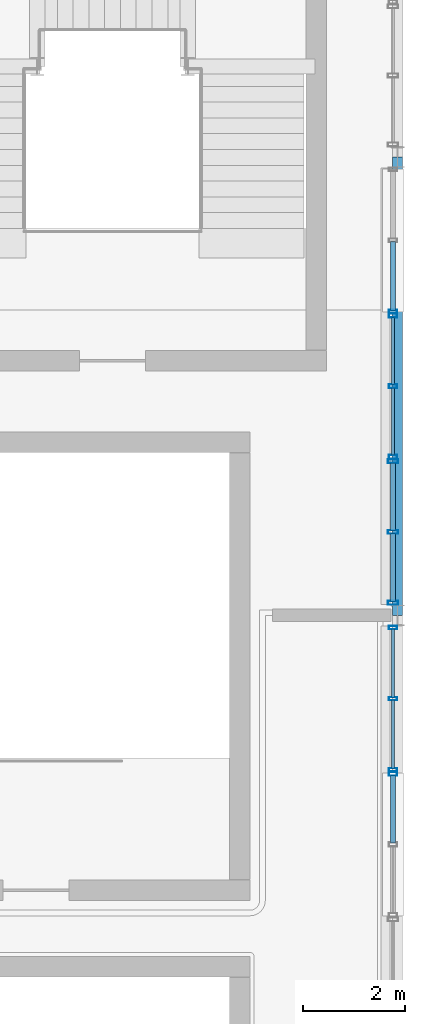
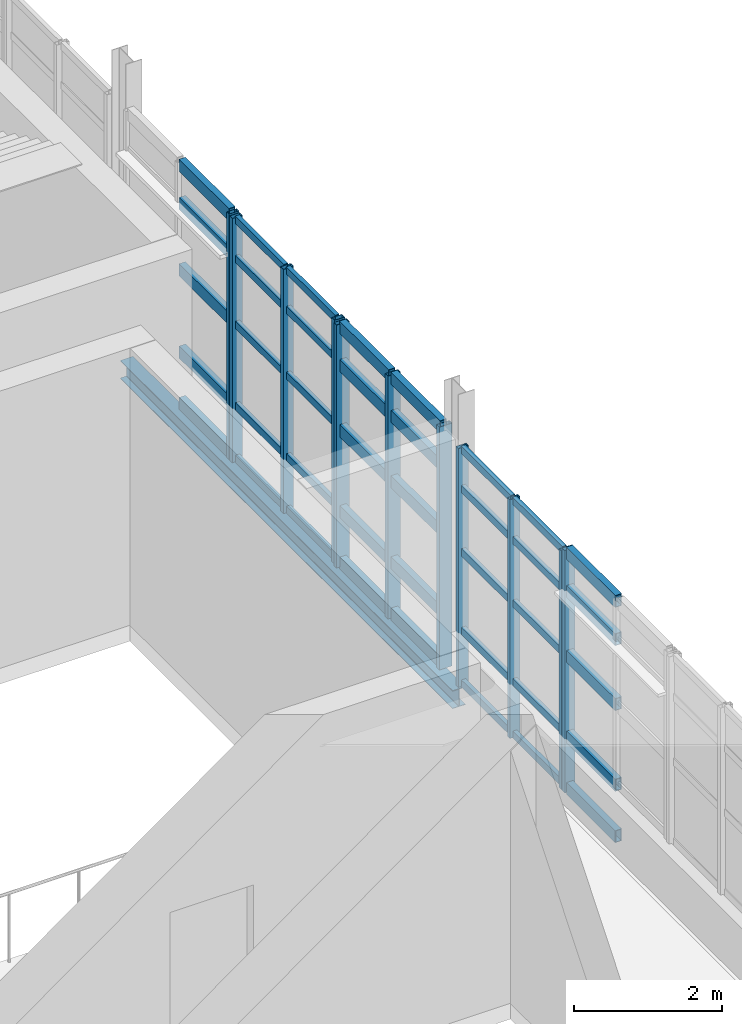
# One storey, part 56 of 102: 51 members, 1 beam, 5 elements without a shape of their own.
"""IFC4 building model written with IfcOpenShell, lengths in metres."""

import ifcopenshell
import ifcopenshell.guid

model = None  # the IFC model being written
_history = None  # IfcOwnerHistory: only IFC2X3 demands one
_inside = {}  # id of a spatial element -> (the spatial element, [elements in it])
_under = {}  # id of a project, library or spatial element -> (it, [spatial elements below it])
_declared = {}  # id of a project -> (the project, [libraries it declares])
_typed = {}  # id of a type object -> (the type object, [elements of that type])
_made_of = {}  # id of a material, layer set ... -> (it, [elements and type objects made of it])


def new_model(schema):
    """Start an empty IFC model of exactly this schema.

    Asked for "IFC4X3", IfcOpenShell would pick the latest addendum, in which some entities
    have other attributes; the version numbers below select the first issue.
    IFC2X3 requires an IfcOwnerHistory on every rooted entity: one is made here for all.
    """
    global model, _history
    if schema == "IFC4X3":
        model = ifcopenshell.file(schema_version=(4, 3, 0, 0))
    else:
        model = ifcopenshell.file(schema=schema)
    _inside.clear()
    _under.clear()
    _declared.clear()
    _typed.clear()
    _made_of.clear()
    _history = None
    if model.schema == "IFC2X3":
        org = make("IfcOrganization", Name="unknown")
        user = make(
            "IfcPersonAndOrganization",
            ThePerson=make("IfcPerson", FamilyName="unknown"),
            TheOrganization=org,
        )
        app = make(
            "IfcApplication",
            ApplicationDeveloper=org,
            Version="unknown",
            ApplicationFullName="unknown",
            ApplicationIdentifier="unknown",
        )
        _history = make(
            "IfcOwnerHistory",
            OwningUser=user,
            OwningApplication=app,
            ChangeAction="ADDED",
            CreationDate=0,
        )
    return model


def make(cls, **values):
    """One entity of the class cls with the attributes given. An attribute that is None is left unset."""
    return model.create_entity(
        cls, **{name: value for name, value in values.items() if value is not None}
    )


def rooted(cls, **values):
    """An entity with a GlobalId (a new one), such as an element, a storey or a relation."""
    return make(cls, GlobalId=ifcopenshell.guid.new(), OwnerHistory=_history, **values)


def si_unit(unit_type, name, prefix=None):
    """IfcSIUnit, for example si_unit("LENGTHUNIT", "METRE", prefix="MILLI")."""
    return make("IfcSIUnit", UnitType=unit_type, Prefix=prefix, Name=name)


def derived_unit(unit_type, elements):
    """IfcDerivedUnit: a product of units, each with its exponent."""
    return make(
        "IfcDerivedUnit",
        Elements=[
            make("IfcDerivedUnitElement", Unit=unit, Exponent=power)
            for unit, power in elements
        ],
        UnitType=unit_type,
    )


def assignment(units):
    """IfcUnitAssignment: the units of a project."""
    return None if units is None else make("IfcUnitAssignment", Units=units)


def point(xyz):
    """IfcCartesianPoint."""
    return None if xyz is None else make("IfcCartesianPoint", Coordinates=xyz)


def direction(xyz):
    """IfcDirection."""
    return None if xyz is None else make("IfcDirection", DirectionRatios=xyz)


def frame(location, z_axis=None, x_axis=None):
    """IfcAxis2Placement3D, a coordinate frame: its origin and axes. An axis left out is left unset."""
    return make(
        "IfcAxis2Placement3D",
        Location=point(location),
        Axis=direction(z_axis),
        RefDirection=direction(x_axis),
    )


def frame_2d(location, x_axis=None):
    """IfcAxis2Placement2D, a coordinate frame in the plane: its origin and x axis."""
    return make(
        "IfcAxis2Placement2D", Location=point(location), RefDirection=direction(x_axis)
    )


def origin():
    """The frame at (0, 0, 0) with its axes left unset."""
    return frame((0.0, 0.0, 0.0))


def origin_2d():
    """The frame at (0, 0) in the plane with its x axis left unset."""
    return frame_2d((0.0, 0.0))


def place(relative_to, where):
    """IfcLocalPlacement: puts the frame where relative to a parent placement (None: the world)."""
    return make(
        "IfcLocalPlacement", PlacementRelTo=relative_to, RelativePlacement=where
    )


def context(
    kind, dimensions, precision=None, world=None, true_north=None, identifier=None
):
    """IfcGeometricRepresentationContext, for example the 3D "Model" context."""
    return make(
        "IfcGeometricRepresentationContext",
        ContextIdentifier=identifier,
        ContextType=kind,
        CoordinateSpaceDimension=dimensions,
        Precision=precision,
        WorldCoordinateSystem=world,
        TrueNorth=true_north,
    )


def subcontext(parent, identifier, kind, view, scale=None):
    """IfcGeometricRepresentationSubContext, for example "Body" below "Model"."""
    return make(
        "IfcGeometricRepresentationSubContext",
        ContextIdentifier=identifier,
        ContextType=kind,
        ParentContext=parent,
        TargetScale=scale,
        TargetView=view,
    )


def project(units=None, contexts=None):
    """IfcProject with its units and contexts."""
    return rooted(
        "IfcProject",
        Name="project",
        RepresentationContexts=contexts,
        UnitsInContext=assignment(units),
    )


def spatial(cls, under=None, at=None, **own):
    """A site, building, storey or space (cls), placed at a placement, below another one or the project."""
    s = rooted(cls, ObjectPlacement=at, **own)
    if under is not None:
        _under.setdefault(under.id(), (under, []))[1].append(s)
    return s


def profile(cls, at=None, kind="AREA", **sizes):
    """A parametric profile (cls). Its sizes go by their IFC names, for example OverallWidth=200.0."""
    return make(cls, ProfileType=kind, Position=at, **sizes)


def hollow_rectangle(**sizes):
    """IfcRectangleHollowProfileDef."""
    return profile("IfcRectangleHollowProfileDef", **sizes)


def i_section(**sizes):
    """IfcIShapeProfileDef."""
    return profile("IfcIShapeProfileDef", **sizes)


def extrude(swept, where, along, depth):
    """IfcExtrudedAreaSolid: the profile swept, set in the frame where, extruded along a direction by depth."""
    return make(
        "IfcExtrudedAreaSolid",
        SweptArea=swept,
        Position=where,
        ExtrudedDirection=direction(along),
        Depth=depth,
    )


def shape(context_of_items, identifier, shape_type, items):
    """IfcShapeRepresentation: the items that make up one representation, for example the "Body"."""
    return make(
        "IfcShapeRepresentation",
        ContextOfItems=context_of_items,
        RepresentationIdentifier=identifier,
        RepresentationType=shape_type,
        Items=items,
    )


def material(Name=None, Category=None):
    """IfcMaterial."""
    return make("IfcMaterial", Name=Name, Category=Category)


def layer(
    of_material, thickness, ventilated=None, Name=None, Category=None, Priority=None
):
    """IfcMaterialLayer: one layer of a wall or slab, of a material (None: an air gap)."""
    return make(
        "IfcMaterialLayer",
        Material=of_material,
        LayerThickness=thickness,
        IsVentilated=ventilated,
        Name=Name,
        Category=Category,
        Priority=Priority,
    )


def layer_set(layers, Name=None):
    """IfcMaterialLayerSet."""
    return make("IfcMaterialLayerSet", MaterialLayers=layers, LayerSetName=Name)


def material_profile(
    of_material, cross_section, Name=None, Category=None, Priority=None
):
    """IfcMaterialProfile: a cross section and its material."""
    return make(
        "IfcMaterialProfile",
        Name=Name,
        Material=of_material,
        Profile=cross_section,
        Priority=Priority,
        Category=Category,
    )


def profile_set(profiles, Name=None, composite=None):
    """IfcMaterialProfileSet."""
    return make(
        "IfcMaterialProfileSet",
        Name=Name,
        MaterialProfiles=profiles,
        CompositeProfile=composite,
    )


def made_of(thing, what):
    """Note that an element or type object is made of a material, layer set ...; save() writes the relation."""
    if what is not None:
        _made_of.setdefault(what.id(), (what, []))[1].append(thing)
    return thing


def type_object(cls, material=None, **own):
    """A type object (cls), such as IfcWallType, which elements share."""
    return made_of(rooted(cls, **own), material)


def element(
    cls,
    number,
    at=None,
    inside=None,
    cuts=None,
    type_object=None,
    material=None,
    context=None,
    identifier="Body",
    shape_type=None,
    held_by="IfcProductDefinitionShape",
    body=None,
    shapes=None,
    **own,
):
    """One element of the class cls, such as IfcWall. Its Tag is "e" and its number.

    at: its placement. inside: the storey or other place that contains it. cuts: it is an
    opening in that element (IfcRelVoidsElement). A single representation is given by context,
    identifier, shape_type and body (its items); several are given by shapes. held_by: the class
    of the entity that holds the representations. save() writes the other relations.
    """
    e = rooted(cls, Tag="e%d" % number, ObjectPlacement=at, **own)
    if body is not None:
        shapes = [shape(context, identifier, shape_type, body)]
    if shapes is not None:
        e.Representation = make(held_by, Representations=shapes)
    if inside is not None:
        _inside.setdefault(inside.id(), (inside, []))[1].append(e)
    if cuts is not None:
        rooted(
            "IfcRelVoidsElement", RelatingBuildingElement=cuts, RelatedOpeningElement=e
        )
    if type_object is not None:
        _typed.setdefault(type_object.id(), (type_object, []))[1].append(e)
    return made_of(e, material)


def aggregate(whole, parts):
    """IfcRelAggregates: a whole, such as a stair, and the parts it consists of."""
    return rooted("IfcRelAggregates", RelatingObject=whole, RelatedObjects=parts)


def save(model, path):
    """Write the relations noted so far, then the file.

    IfcRelAggregates (storeys below a building ...), IfcRelContainedInSpatialStructure (elements
    in a storey), IfcRelDefinesByType, IfcRelAssociatesMaterial and IfcRelDeclares: one each for
    every whole, place, type object, material and project.
    """
    for whole, parts in _under.values():
        aggregate(whole, parts)
    for where, things in _inside.values():
        rooted(
            "IfcRelContainedInSpatialStructure",
            RelatedElements=things,
            RelatingStructure=where,
        )
    for kind, things in _typed.values():
        rooted("IfcRelDefinesByType", RelatedObjects=things, RelatingType=kind)
    for what, things in _made_of.values():
        rooted("IfcRelAssociatesMaterial", RelatedObjects=things, RelatingMaterial=what)
    for by, libraries in _declared.values():
        rooted("IfcRelDeclares", RelatingContext=by, RelatedDefinitions=libraries)
    model.write(path)


model = new_model("IFC4")

# Units and contexts
model_context = context("Model", 3, precision=1e-05, world=origin(), true_north=direction((0.0, 1.0)))
body_context = subcontext(model_context, "Body", "Model", "MODEL_VIEW")
ifc_project = project(units=[si_unit("LENGTHUNIT", "METRE"), si_unit("AREAUNIT", "SQUARE_METRE"), si_unit("VOLUMEUNIT", "CUBIC_METRE"), si_unit("PLANEANGLEUNIT", "RADIAN"), si_unit("MASSUNIT", "GRAM", prefix="KILO"), derived_unit("THERMALTRANSMITTANCEUNIT", [(si_unit("POWERUNIT", "WATT"), 1), (si_unit("LENGTHUNIT", "METRE"), -2), (si_unit("THERMODYNAMICTEMPERATUREUNIT", "KELVIN"), -1)])], contexts=[model_context])

# Site, building, storey
site_placement = place(None, origin())
site = spatial("IfcSite", under=ifc_project, at=site_placement, CompositionType="ELEMENT")
building_placement = place(site_placement, origin())
building = spatial("IfcBuilding", under=site, at=building_placement, Name="Nallur Shell Playhouse", CompositionType="ELEMENT")
storey_placement = place(building_placement, frame((0.0, 0.0, 15.0)))
storey = spatial("IfcBuildingStorey", under=building, at=storey_placement, Name="L04", CompositionType="ELEMENT", Elevation=15.0)

# Beam
ifc_material_1 = material(Name="Steel E250", Category="steel")
ifc_material_profile_1 = material_profile(ifc_material_1, i_section(OverallWidth=0.199951171875, OverallDepth=0.300048828125, WebThickness=0.00732421875, FlangeThickness=0.010009765625, FilletRadius=0.010986328125, at=origin_2d()), Name="ISWB 300")
ifc_profile_set_1 = profile_set([ifc_material_profile_1], Name="Steel E250")
beam_type = type_object("IfcBeamType", Name="BM-ST-ISWB300", PredefinedType="BEAM", material=ifc_profile_set_1)
beam_placement = place(storey_placement, frame((159.800048828125, 41.0, -0.409912109375), z_axis=(0.0, 1.0, 0.0), x_axis=(-1.0, 0.0, 0.0)))
element("IfcBeam", 1, at=beam_placement, inside=storey, type_object=beam_type, Name="L04 girder Y-19-871", PredefinedType="BEAM", context=body_context, shape_type="SweptSolid", body=[
    extrude(i_section(OverallWidth=0.199951171875, OverallDepth=0.300048828125, WebThickness=0.00732421875, FlangeThickness=0.010009765625, FilletRadius=0.010986328125, at=origin_2d()), origin(), (0.0, 0.0, 1.0), 9.0),
])

# Curtain wall, members
ifc_material_2 = material(Name="Anodised Aluminium Double-Glazed Facade System", Category="aluminium")
ifc_layer_1 = layer(ifc_material_2, 0.179931640625)
ifc_layer_set_1 = layer_set([ifc_layer_1], Name="Anodised Aluminium Double-Glazed Facade System")
curtain_wall_type_1 = type_object("IfcCurtainWallType", Name="CW-UNIT-17", PredefinedType="NOTDEFINED", material=ifc_layer_set_1)
curtain_wall_1_placement = place(storey_placement, origin())
curtain_wall_1 = element("IfcCurtainWall", 2, at=curtain_wall_1_placement, inside=storey, type_object=curtain_wall_type_1, Name="Unitised curtain wall CW-113 (L04)", PredefinedType="NOTDEFINED")
ifc_material_3 = material(Name="Aluminium Alloy 6063-T6 Mullion", Category="aluminium")
ifc_material_profile_2 = material_profile(ifc_material_3, hollow_rectangle(XDim=0.080078125, YDim=0.159912109375, WallThickness=0.006103515625, at=origin_2d()), Name="RHS 160x80x6")
ifc_profile_set_2 = profile_set([ifc_material_profile_2], Name="Aluminium Alloy 6063-T6 Mullion")
member_type_1 = type_object("IfcMemberType", Name="MB-CW-MUL150", PredefinedType="MULLION", material=ifc_profile_set_2)
member_1_placement = place(storey_placement, frame((159.7099609375, 46.8857421875, -0.014892578125), z_axis=(0.0, 0.0, 1.0), x_axis=(0.0, -1.0, 0.0)))
member_1 = element("IfcMember", 3, at=member_1_placement, type_object=member_type_1, Name="CW-17 mullion 1", PredefinedType="MULLION", context=body_context, shape_type="SweptSolid", body=[
    extrude(hollow_rectangle(XDim=0.080078125, YDim=0.159912109375, WallThickness=0.006103515625, at=origin_2d()), origin(), (0.0, 0.0, 1.0), 4.033935546875),
])
member_2_placement = place(storey_placement, frame((159.7099609375, 45.5, -0.014892578125), z_axis=(0.0, 0.0, 1.0), x_axis=(0.0, -1.0, 0.0)))
member_2 = element("IfcMember", 4, at=member_2_placement, type_object=member_type_1, Name="CW-17 mullion 2", PredefinedType="MULLION", context=body_context, shape_type="SweptSolid", body=[
    extrude(hollow_rectangle(XDim=0.080078125, YDim=0.159912109375, WallThickness=0.006103515625, at=origin_2d()), origin(), (0.0, 0.0, 1.0), 4.033935546875),
])
member_3_placement = place(storey_placement, frame((159.7099609375, 44.1142578125, -0.014892578125), z_axis=(0.0, 0.0, 1.0), x_axis=(0.0, -1.0, 0.0)))
member_3 = element("IfcMember", 5, at=member_3_placement, type_object=member_type_1, Name="CW-17 mullion 3", PredefinedType="MULLION", context=body_context, shape_type="SweptSolid", body=[
    extrude(hollow_rectangle(XDim=0.080078125, YDim=0.159912109375, WallThickness=0.006103515625, at=origin_2d()), origin(), (0.0, 0.0, 1.0), 4.033935546875),
])

# Curtain wall, member
ifc_layer_2 = layer(ifc_material_2, 0.16796875)
ifc_layer_set_2 = layer_set([ifc_layer_2], Name="Anodised Aluminium Double-Glazed Facade System")
curtain_wall_type_2 = type_object("IfcCurtainWallType", Name="CW-UNIT-20", PredefinedType="NOTDEFINED", material=ifc_layer_set_2)
curtain_wall_2_placement = place(storey_placement, origin())
curtain_wall_2 = element("IfcCurtainWall", 6, at=curtain_wall_2_placement, inside=storey, type_object=curtain_wall_type_2, Name="Unitised curtain wall CW-116 (L04)", PredefinedType="NOTDEFINED")
member_4_placement = place(storey_placement, frame((159.7099609375, 37.8857421875, -0.014892578125), z_axis=(0.0, 0.0, 1.0), x_axis=(0.0, -1.0, 0.0)))
member_4 = element("IfcMember", 7, at=member_4_placement, type_object=member_type_1, Name="CW-20 mullion 1", PredefinedType="MULLION", context=body_context, shape_type="SweptSolid", body=[
    extrude(hollow_rectangle(XDim=0.080078125, YDim=0.159912109375, WallThickness=0.006103515625, at=origin_2d()), origin(), (0.0, 0.0, 1.0), 4.00390625),
])

ifc_layer_3 = layer(ifc_material_2, 0.176025390625)
ifc_layer_set_3 = layer_set([ifc_layer_3], Name="Anodised Aluminium Double-Glazed Facade System")
curtain_wall_type_3 = type_object("IfcCurtainWallType", Name="CW-UNIT-16", PredefinedType="NOTDEFINED", material=ifc_layer_set_3)
curtain_wall_3_placement = place(storey_placement, origin())
curtain_wall_3 = element("IfcCurtainWall", 8, at=curtain_wall_3_placement, inside=storey, type_object=curtain_wall_type_3, Name="Unitised curtain wall CW-112 (L04)", PredefinedType="NOTDEFINED")
ifc_material_profile_3 = material_profile(ifc_material_3, hollow_rectangle(XDim=0.06494140625, YDim=0.159912109375, WallThickness=0.00390625, at=origin_2d()), Name="ALU 65x160x4")
ifc_profile_set_3 = profile_set([ifc_material_profile_3], Name="Aluminium Alloy 6063-T6 Mullion")
member_type_2 = type_object("IfcMemberType", Name="MB-CW-MUL160", PredefinedType="MULLION", material=ifc_profile_set_3)
member_5_placement = place(storey_placement, frame((159.7099609375, 46.96826171875, -0.014892578125), z_axis=(0.0, 0.0, 1.0), x_axis=(0.0, -1.0, 0.0)))
member_5 = element("IfcMember", 9, at=member_5_placement, type_object=member_type_2, Name="CW-16 mullion 3", PredefinedType="MULLION", context=body_context, shape_type="SweptSolid", body=[
    extrude(hollow_rectangle(XDim=0.06494140625, YDim=0.159912109375, WallThickness=0.00390625, at=origin_2d()), origin(), (0.0, 0.0, 1.0), 4.053955078125),
])

# Curtain wall, members
ifc_layer_4 = layer(ifc_material_2, 0.1640625)
ifc_layer_set_4 = layer_set([ifc_layer_4], Name="Anodised Aluminium Double-Glazed Facade System")
curtain_wall_type_4 = type_object("IfcCurtainWallType", Name="CW-UNIT-19", PredefinedType="NOTDEFINED", material=ifc_layer_set_4)
curtain_wall_4_placement = place(storey_placement, origin())
curtain_wall_4 = element("IfcCurtainWall", 10, at=curtain_wall_4_placement, inside=storey, type_object=curtain_wall_type_4, Name="Unitised curtain wall CW-115 (L04)", PredefinedType="NOTDEFINED")
member_6_placement = place(storey_placement, frame((159.7099609375, 40.759521484375, -0.014892578125), z_axis=(0.0, 0.0, 1.0), x_axis=(0.0, -1.0, 0.0)))
member_6 = element("IfcMember", 11, at=member_6_placement, type_object=member_type_2, Name="CW-19 mullion 1", PredefinedType="MULLION", context=body_context, shape_type="SweptSolid", body=[
    extrude(hollow_rectangle(XDim=0.06494140625, YDim=0.159912109375, WallThickness=0.00390625, at=origin_2d()), origin(), (0.0, 0.0, 1.0), 3.94384765625),
])
member_7_placement = place(storey_placement, frame((159.7099609375, 39.36376953125, -0.014892578125), z_axis=(0.0, 0.0, 1.0), x_axis=(0.0, -1.0, 0.0)))
member_7 = element("IfcMember", 12, at=member_7_placement, type_object=member_type_2, Name="CW-19 mullion 2", PredefinedType="MULLION", context=body_context, shape_type="SweptSolid", body=[
    extrude(hollow_rectangle(XDim=0.06494140625, YDim=0.159912109375, WallThickness=0.00390625, at=origin_2d()), origin(), (0.0, 0.0, 1.0), 3.94384765625),
])
member_8_placement = place(storey_placement, frame((159.7099609375, 37.96826171875, -0.014892578125), z_axis=(0.0, 0.0, 1.0), x_axis=(0.0, -1.0, 0.0)))
member_8 = element("IfcMember", 13, at=member_8_placement, type_object=member_type_2, Name="CW-19 mullion 3", PredefinedType="MULLION", context=body_context, shape_type="SweptSolid", body=[
    extrude(hollow_rectangle(XDim=0.06494140625, YDim=0.159912109375, WallThickness=0.00390625, at=origin_2d()), origin(), (0.0, 0.0, 1.0), 3.94384765625),
])

ifc_layer_5 = layer(ifc_material_2, 0.159912109375)
ifc_layer_set_5 = layer_set([ifc_layer_5], Name="Anodised Aluminium Double-Glazed Facade System")
curtain_wall_type_5 = type_object("IfcCurtainWallType", Name="CW-UNIT-18", PredefinedType="NOTDEFINED", material=ifc_layer_set_5)
curtain_wall_5_placement = place(storey_placement, origin())
curtain_wall_5 = element("IfcCurtainWall", 14, at=curtain_wall_5_placement, inside=storey, type_object=curtain_wall_type_5, Name="Unitised curtain wall CW-114 (L04)", PredefinedType="NOTDEFINED")
ifc_material_profile_4 = material_profile(ifc_material_3, hollow_rectangle(XDim=0.074951171875, YDim=0.199951171875, WallThickness=0.0048828125, at=origin_2d()), Name="ALU 75x200x5")
ifc_profile_set_4 = profile_set([ifc_material_profile_4], Name="Aluminium Alloy 6063-T6 Mullion")
member_type_3 = type_object("IfcMemberType", Name="MB-CW-MUL180", PredefinedType="MULLION", material=ifc_profile_set_4)
member_9_placement = place(storey_placement, frame((159.7099609375, 44.02685546875, -0.014892578125), z_axis=(0.0, 0.0, 1.0), x_axis=(0.0, -1.0, 0.0)))
member_9 = element("IfcMember", 15, at=member_9_placement, type_object=member_type_3, Name="CW-18 mullion 1", PredefinedType="MULLION", context=body_context, shape_type="SweptSolid", body=[
    extrude(hollow_rectangle(XDim=0.074951171875, YDim=0.199951171875, WallThickness=0.0048828125, at=origin_2d()), origin(), (0.0, 0.0, 1.0), 4.013916015625),
])
member_10_placement = place(storey_placement, frame((159.7099609375, 42.63623046875, -0.014892578125), z_axis=(0.0, 0.0, 1.0), x_axis=(0.0, -1.0, 0.0)))
member_10 = element("IfcMember", 16, at=member_10_placement, type_object=member_type_3, Name="CW-18 mullion 2", PredefinedType="MULLION", context=body_context, shape_type="SweptSolid", body=[
    extrude(hollow_rectangle(XDim=0.074951171875, YDim=0.199951171875, WallThickness=0.0048828125, at=origin_2d()), origin(), (0.0, 0.0, 1.0), 4.013916015625),
])
member_11_placement = place(storey_placement, frame((159.7099609375, 41.24560546875, -0.014892578125), z_axis=(0.0, 0.0, 1.0), x_axis=(0.0, -1.0, 0.0)))
member_11 = element("IfcMember", 17, at=member_11_placement, type_object=member_type_3, Name="CW-18 mullion 3", PredefinedType="MULLION", context=body_context, shape_type="SweptSolid", body=[
    extrude(hollow_rectangle(XDim=0.074951171875, YDim=0.199951171875, WallThickness=0.0048828125, at=origin_2d()), origin(), (0.0, 0.0, 1.0), 4.013916015625),
])

# Member
ifc_material_4 = material(Name="Aluminium Alloy 6063-T6 Transom", Category="aluminium")
ifc_material_profile_5 = material_profile(ifc_material_4, hollow_rectangle(XDim=0.06494140625, YDim=0.1201171875, WallThickness=0.00390625, at=origin_2d()), Name="ALU 65x120x4")
ifc_profile_set_5 = profile_set([ifc_material_profile_5], Name="Aluminium Alloy 6063-T6 Transom")
member_type_4 = type_object("IfcMemberType", Name="MB-CW-TRN120", PredefinedType="USERDEFINED", material=ifc_profile_set_5)
member_12_placement = place(storey_placement, frame((159.7099609375, 46.853759765625, 0.032470703125), z_axis=(0.0, -1.0, 0.0), x_axis=(1.0, 0.0, 0.0)))
member_12 = element("IfcMember", 18, at=member_12_placement, type_object=member_type_4, Name="CW-17 transom 1.1", ObjectType="TRANSOM", PredefinedType="USERDEFINED", context=body_context, shape_type="SweptSolid", body=[
    extrude(hollow_rectangle(XDim=0.06494140625, YDim=0.1201171875, WallThickness=0.00390625, at=origin_2d()), origin(), (0.0, 0.0, 1.0), 1.32177734375),
])

member_13_placement = place(storey_placement, frame((159.7099609375, 46.853759765625, 0.89990234375), z_axis=(0.0, -1.0, 0.0), x_axis=(1.0, 0.0, 0.0)))
member_13 = element("IfcMember", 19, at=member_13_placement, type_object=member_type_4, Name="CW-17 transom 1.2", ObjectType="TRANSOM", PredefinedType="USERDEFINED", context=body_context, shape_type="SweptSolid", body=[
    extrude(hollow_rectangle(XDim=0.06494140625, YDim=0.1201171875, WallThickness=0.00390625, at=origin_2d()), origin(), (0.0, 0.0, 1.0), 1.32177734375),
])

member_14_placement = place(storey_placement, frame((159.7099609375, 46.853759765625, 2.248046875), z_axis=(0.0, -1.0, 0.0), x_axis=(1.0, 0.0, 0.0)))
member_14 = element("IfcMember", 20, at=member_14_placement, type_object=member_type_4, Name="CW-17 transom 1.3", ObjectType="TRANSOM", PredefinedType="USERDEFINED", context=body_context, shape_type="SweptSolid", body=[
    extrude(hollow_rectangle(XDim=0.06494140625, YDim=0.1201171875, WallThickness=0.00390625, at=origin_2d()), origin(), (0.0, 0.0, 1.0), 1.32177734375),
])

member_15_placement = place(storey_placement, frame((159.7099609375, 46.853759765625, 3.3349609375), z_axis=(0.0, -1.0, 0.0), x_axis=(1.0, 0.0, 0.0)))
member_15 = element("IfcMember", 21, at=member_15_placement, type_object=member_type_4, Name="CW-17 transom 1.4", ObjectType="TRANSOM", PredefinedType="USERDEFINED", context=body_context, shape_type="SweptSolid", body=[
    extrude(hollow_rectangle(XDim=0.06494140625, YDim=0.1201171875, WallThickness=0.00390625, at=origin_2d()), origin(), (0.0, 0.0, 1.0), 1.32177734375),
])

member_16_placement = place(storey_placement, frame((159.7099609375, 46.853759765625, 3.982421875), z_axis=(0.0, -1.0, 0.0), x_axis=(1.0, 0.0, 0.0)))
member_16 = element("IfcMember", 22, at=member_16_placement, type_object=member_type_4, Name="CW-17 transom 1.5", ObjectType="TRANSOM", PredefinedType="USERDEFINED", context=body_context, shape_type="SweptSolid", body=[
    extrude(hollow_rectangle(XDim=0.06494140625, YDim=0.1201171875, WallThickness=0.00390625, at=origin_2d()), origin(), (0.0, 0.0, 1.0), 1.32177734375),
])

member_17_placement = place(storey_placement, frame((159.7099609375, 45.468017578125, 0.032470703125), z_axis=(0.0, -1.0, 0.0), x_axis=(1.0, 0.0, 0.0)))
member_17 = element("IfcMember", 23, at=member_17_placement, type_object=member_type_4, Name="CW-17 transom 2.1", ObjectType="TRANSOM", PredefinedType="USERDEFINED", context=body_context, shape_type="SweptSolid", body=[
    extrude(hollow_rectangle(XDim=0.06494140625, YDim=0.1201171875, WallThickness=0.00390625, at=origin_2d()), origin(), (0.0, 0.0, 1.0), 1.32177734375),
])

member_18_placement = place(storey_placement, frame((159.7099609375, 45.468017578125, 0.89990234375), z_axis=(0.0, -1.0, 0.0), x_axis=(1.0, 0.0, 0.0)))
member_18 = element("IfcMember", 24, at=member_18_placement, type_object=member_type_4, Name="CW-17 transom 2.2", ObjectType="TRANSOM", PredefinedType="USERDEFINED", context=body_context, shape_type="SweptSolid", body=[
    extrude(hollow_rectangle(XDim=0.06494140625, YDim=0.1201171875, WallThickness=0.00390625, at=origin_2d()), origin(), (0.0, 0.0, 1.0), 1.32177734375),
])

member_19_placement = place(storey_placement, frame((159.7099609375, 45.468017578125, 2.248046875), z_axis=(0.0, -1.0, 0.0), x_axis=(1.0, 0.0, 0.0)))
member_19 = element("IfcMember", 25, at=member_19_placement, type_object=member_type_4, Name="CW-17 transom 2.3", ObjectType="TRANSOM", PredefinedType="USERDEFINED", context=body_context, shape_type="SweptSolid", body=[
    extrude(hollow_rectangle(XDim=0.06494140625, YDim=0.1201171875, WallThickness=0.00390625, at=origin_2d()), origin(), (0.0, 0.0, 1.0), 1.32177734375),
])

member_20_placement = place(storey_placement, frame((159.7099609375, 45.468017578125, 3.3349609375), z_axis=(0.0, -1.0, 0.0), x_axis=(1.0, 0.0, 0.0)))
member_20 = element("IfcMember", 26, at=member_20_placement, type_object=member_type_4, Name="CW-17 transom 2.4", ObjectType="TRANSOM", PredefinedType="USERDEFINED", context=body_context, shape_type="SweptSolid", body=[
    extrude(hollow_rectangle(XDim=0.06494140625, YDim=0.1201171875, WallThickness=0.00390625, at=origin_2d()), origin(), (0.0, 0.0, 1.0), 1.32177734375),
])

member_21_placement = place(storey_placement, frame((159.7099609375, 45.468017578125, 3.982421875), z_axis=(0.0, -1.0, 0.0), x_axis=(1.0, 0.0, 0.0)))
member_21 = element("IfcMember", 27, at=member_21_placement, type_object=member_type_4, Name="CW-17 transom 2.5", ObjectType="TRANSOM", PredefinedType="USERDEFINED", context=body_context, shape_type="SweptSolid", body=[
    extrude(hollow_rectangle(XDim=0.06494140625, YDim=0.1201171875, WallThickness=0.00390625, at=origin_2d()), origin(), (0.0, 0.0, 1.0), 1.32177734375),
])

aggregate(curtain_wall_1, [member_1, member_2, member_3, member_12, member_13, member_14, member_15, member_16, member_17, member_18, member_19, member_20, member_21])

member_22_placement = place(storey_placement, frame((159.7099609375, 40.735107421875, 0.032470703125), z_axis=(0.0, -1.0, 0.0), x_axis=(1.0, 0.0, 0.0)))
member_22 = element("IfcMember", 28, at=member_22_placement, type_object=member_type_4, Name="CW-19 transom 1.1", ObjectType="TRANSOM", PredefinedType="USERDEFINED", context=body_context, shape_type="SweptSolid", body=[
    extrude(hollow_rectangle(XDim=0.06494140625, YDim=0.1201171875, WallThickness=0.00390625, at=origin_2d()), origin(), (0.0, 0.0, 1.0), 1.3466796875),
])

member_23_placement = place(storey_placement, frame((159.7099609375, 40.735107421875, 0.89990234375), z_axis=(0.0, -1.0, 0.0), x_axis=(1.0, 0.0, 0.0)))
member_23 = element("IfcMember", 29, at=member_23_placement, type_object=member_type_4, Name="CW-19 transom 1.2", ObjectType="TRANSOM", PredefinedType="USERDEFINED", context=body_context, shape_type="SweptSolid", body=[
    extrude(hollow_rectangle(XDim=0.06494140625, YDim=0.1201171875, WallThickness=0.00390625, at=origin_2d()), origin(), (0.0, 0.0, 1.0), 1.3466796875),
])

member_24_placement = place(storey_placement, frame((159.7099609375, 40.735107421875, 2.197998046875), z_axis=(0.0, -1.0, 0.0), x_axis=(1.0, 0.0, 0.0)))
member_24 = element("IfcMember", 30, at=member_24_placement, type_object=member_type_4, Name="CW-19 transom 1.3", ObjectType="TRANSOM", PredefinedType="USERDEFINED", context=body_context, shape_type="SweptSolid", body=[
    extrude(hollow_rectangle(XDim=0.06494140625, YDim=0.1201171875, WallThickness=0.00390625, at=origin_2d()), origin(), (0.0, 0.0, 1.0), 1.3466796875),
])

member_25_placement = place(storey_placement, frame((159.7099609375, 40.735107421875, 3.2451171875), z_axis=(0.0, -1.0, 0.0), x_axis=(1.0, 0.0, 0.0)))
member_25 = element("IfcMember", 31, at=member_25_placement, type_object=member_type_4, Name="CW-19 transom 1.4", ObjectType="TRANSOM", PredefinedType="USERDEFINED", context=body_context, shape_type="SweptSolid", body=[
    extrude(hollow_rectangle(XDim=0.06494140625, YDim=0.1201171875, WallThickness=0.00390625, at=origin_2d()), origin(), (0.0, 0.0, 1.0), 1.3466796875),
])

member_26_placement = place(storey_placement, frame((159.7099609375, 40.735107421875, 3.892578125), z_axis=(0.0, -1.0, 0.0), x_axis=(1.0, 0.0, 0.0)))
member_26 = element("IfcMember", 32, at=member_26_placement, type_object=member_type_4, Name="CW-19 transom 1.5", ObjectType="TRANSOM", PredefinedType="USERDEFINED", context=body_context, shape_type="SweptSolid", body=[
    extrude(hollow_rectangle(XDim=0.06494140625, YDim=0.1201171875, WallThickness=0.00390625, at=origin_2d()), origin(), (0.0, 0.0, 1.0), 1.3466796875),
])

member_27_placement = place(storey_placement, frame((159.7099609375, 39.33935546875, 0.032470703125), z_axis=(0.0, -1.0, 0.0), x_axis=(1.0, 0.0, 0.0)))
member_27 = element("IfcMember", 33, at=member_27_placement, type_object=member_type_4, Name="CW-19 transom 2.1", ObjectType="TRANSOM", PredefinedType="USERDEFINED", context=body_context, shape_type="SweptSolid", body=[
    extrude(hollow_rectangle(XDim=0.06494140625, YDim=0.1201171875, WallThickness=0.00390625, at=origin_2d()), origin(), (0.0, 0.0, 1.0), 1.3466796875),
])

member_28_placement = place(storey_placement, frame((159.7099609375, 39.33935546875, 0.89990234375), z_axis=(0.0, -1.0, 0.0), x_axis=(1.0, 0.0, 0.0)))
member_28 = element("IfcMember", 34, at=member_28_placement, type_object=member_type_4, Name="CW-19 transom 2.2", ObjectType="TRANSOM", PredefinedType="USERDEFINED", context=body_context, shape_type="SweptSolid", body=[
    extrude(hollow_rectangle(XDim=0.06494140625, YDim=0.1201171875, WallThickness=0.00390625, at=origin_2d()), origin(), (0.0, 0.0, 1.0), 1.3466796875),
])

member_29_placement = place(storey_placement, frame((159.7099609375, 39.33935546875, 2.197998046875), z_axis=(0.0, -1.0, 0.0), x_axis=(1.0, 0.0, 0.0)))
member_29 = element("IfcMember", 35, at=member_29_placement, type_object=member_type_4, Name="CW-19 transom 2.3", ObjectType="TRANSOM", PredefinedType="USERDEFINED", context=body_context, shape_type="SweptSolid", body=[
    extrude(hollow_rectangle(XDim=0.06494140625, YDim=0.1201171875, WallThickness=0.00390625, at=origin_2d()), origin(), (0.0, 0.0, 1.0), 1.3466796875),
])

member_30_placement = place(storey_placement, frame((159.7099609375, 39.33935546875, 3.2451171875), z_axis=(0.0, -1.0, 0.0), x_axis=(1.0, 0.0, 0.0)))
member_30 = element("IfcMember", 36, at=member_30_placement, type_object=member_type_4, Name="CW-19 transom 2.4", ObjectType="TRANSOM", PredefinedType="USERDEFINED", context=body_context, shape_type="SweptSolid", body=[
    extrude(hollow_rectangle(XDim=0.06494140625, YDim=0.1201171875, WallThickness=0.00390625, at=origin_2d()), origin(), (0.0, 0.0, 1.0), 1.3466796875),
])

member_31_placement = place(storey_placement, frame((159.7099609375, 39.33935546875, 3.892578125), z_axis=(0.0, -1.0, 0.0), x_axis=(1.0, 0.0, 0.0)))
member_31 = element("IfcMember", 37, at=member_31_placement, type_object=member_type_4, Name="CW-19 transom 2.5", ObjectType="TRANSOM", PredefinedType="USERDEFINED", context=body_context, shape_type="SweptSolid", body=[
    extrude(hollow_rectangle(XDim=0.06494140625, YDim=0.1201171875, WallThickness=0.00390625, at=origin_2d()), origin(), (0.0, 0.0, 1.0), 1.3466796875),
])

aggregate(curtain_wall_4, [member_6, member_7, member_8, member_22, member_23, member_24, member_25, member_26, member_27, member_28, member_29, member_30, member_31])

ifc_material_profile_6 = material_profile(ifc_material_4, hollow_rectangle(XDim=0.10009765625, YDim=0.199951171875, WallThickness=0.008056640625, at=origin_2d()), Name="RHS 200x100x8")
ifc_profile_set_6 = profile_set([ifc_material_profile_6], Name="Aluminium Alloy 6063-T6 Transom")
member_type_5 = type_object("IfcMemberType", Name="MB-CW-TRN140", PredefinedType="USERDEFINED", material=ifc_profile_set_6)
member_32_placement = place(storey_placement, frame((159.7099609375, 48.33935546875, 0.050048828125), z_axis=(0.0, -1.0, 0.0), x_axis=(1.0, 0.0, 0.0)))
member_32 = element("IfcMember", 38, at=member_32_placement, type_object=member_type_5, Name="CW-16 transom 2.1", ObjectType="TRANSOM", PredefinedType="USERDEFINED", context=body_context, shape_type="SweptSolid", body=[
    extrude(hollow_rectangle(XDim=0.10009765625, YDim=0.199951171875, WallThickness=0.008056640625, at=origin_2d()), origin(), (0.0, 0.0, 1.0), 1.3466796875),
])

member_33_placement = place(storey_placement, frame((159.7099609375, 48.33935546875, 0.89990234375), z_axis=(0.0, -1.0, 0.0), x_axis=(1.0, 0.0, 0.0)))
member_33 = element("IfcMember", 39, at=member_33_placement, type_object=member_type_5, Name="CW-16 transom 2.2", ObjectType="TRANSOM", PredefinedType="USERDEFINED", context=body_context, shape_type="SweptSolid", body=[
    extrude(hollow_rectangle(XDim=0.10009765625, YDim=0.199951171875, WallThickness=0.008056640625, at=origin_2d()), origin(), (0.0, 0.0, 1.0), 1.3466796875),
])

member_34_placement = place(storey_placement, frame((159.7099609375, 48.33935546875, 2.260009765625), z_axis=(0.0, -1.0, 0.0), x_axis=(1.0, 0.0, 0.0)))
member_34 = element("IfcMember", 40, at=member_34_placement, type_object=member_type_5, Name="CW-16 transom 2.3", ObjectType="TRANSOM", PredefinedType="USERDEFINED", context=body_context, shape_type="SweptSolid", body=[
    extrude(hollow_rectangle(XDim=0.10009765625, YDim=0.199951171875, WallThickness=0.008056640625, at=origin_2d()), origin(), (0.0, 0.0, 1.0), 1.3466796875),
])

member_35_placement = place(storey_placement, frame((159.7099609375, 48.33935546875, 3.35498046875), z_axis=(0.0, -1.0, 0.0), x_axis=(1.0, 0.0, 0.0)))
member_35 = element("IfcMember", 41, at=member_35_placement, type_object=member_type_5, Name="CW-16 transom 2.4", ObjectType="TRANSOM", PredefinedType="USERDEFINED", context=body_context, shape_type="SweptSolid", body=[
    extrude(hollow_rectangle(XDim=0.10009765625, YDim=0.199951171875, WallThickness=0.008056640625, at=origin_2d()), origin(), (0.0, 0.0, 1.0), 1.3466796875),
])

member_36_placement = place(storey_placement, frame((159.7099609375, 48.33935546875, 3.985107421875), z_axis=(0.0, -1.0, 0.0), x_axis=(1.0, 0.0, 0.0)))
member_36 = element("IfcMember", 42, at=member_36_placement, type_object=member_type_5, Name="CW-16 transom 2.5", ObjectType="TRANSOM", PredefinedType="USERDEFINED", context=body_context, shape_type="SweptSolid", body=[
    extrude(hollow_rectangle(XDim=0.10009765625, YDim=0.199951171875, WallThickness=0.008056640625, at=origin_2d()), origin(), (0.0, 0.0, 1.0), 1.3466796875),
])

aggregate(curtain_wall_3, [member_5, member_32, member_33, member_34, member_35, member_36])

member_37_placement = place(storey_placement, frame((159.7099609375, 43.997314453125, 0.050048828125), z_axis=(0.0, -1.0, 0.0), x_axis=(1.0, 0.0, 0.0)))
member_37 = element("IfcMember", 43, at=member_37_placement, type_object=member_type_5, Name="CW-18 transom 1.1", ObjectType="TRANSOM", PredefinedType="USERDEFINED", context=body_context, shape_type="SweptSolid", body=[
    extrude(hollow_rectangle(XDim=0.10009765625, YDim=0.199951171875, WallThickness=0.008056640625, at=origin_2d()), origin(), (0.0, 0.0, 1.0), 1.33154296875),
])

member_38_placement = place(storey_placement, frame((159.7099609375, 43.997314453125, 0.89990234375), z_axis=(0.0, -1.0, 0.0), x_axis=(1.0, 0.0, 0.0)))
member_38 = element("IfcMember", 44, at=member_38_placement, type_object=member_type_5, Name="CW-18 transom 1.2", ObjectType="TRANSOM", PredefinedType="USERDEFINED", context=body_context, shape_type="SweptSolid", body=[
    extrude(hollow_rectangle(XDim=0.10009765625, YDim=0.199951171875, WallThickness=0.008056640625, at=origin_2d()), origin(), (0.0, 0.0, 1.0), 1.33154296875),
])

member_39_placement = place(storey_placement, frame((159.7099609375, 43.997314453125, 2.237060546875), z_axis=(0.0, -1.0, 0.0), x_axis=(1.0, 0.0, 0.0)))
member_39 = element("IfcMember", 45, at=member_39_placement, type_object=member_type_5, Name="CW-18 transom 1.3", ObjectType="TRANSOM", PredefinedType="USERDEFINED", context=body_context, shape_type="SweptSolid", body=[
    extrude(hollow_rectangle(XDim=0.10009765625, YDim=0.199951171875, WallThickness=0.008056640625, at=origin_2d()), origin(), (0.0, 0.0, 1.0), 1.33154296875),
])

member_40_placement = place(storey_placement, frame((159.7099609375, 43.997314453125, 3.31494140625), z_axis=(0.0, -1.0, 0.0), x_axis=(1.0, 0.0, 0.0)))
member_40 = element("IfcMember", 46, at=member_40_placement, type_object=member_type_5, Name="CW-18 transom 1.4", ObjectType="TRANSOM", PredefinedType="USERDEFINED", context=body_context, shape_type="SweptSolid", body=[
    extrude(hollow_rectangle(XDim=0.10009765625, YDim=0.199951171875, WallThickness=0.008056640625, at=origin_2d()), origin(), (0.0, 0.0, 1.0), 1.33154296875),
])

member_41_placement = place(storey_placement, frame((159.7099609375, 43.997314453125, 3.945068359375), z_axis=(0.0, -1.0, 0.0), x_axis=(1.0, 0.0, 0.0)))
member_41 = element("IfcMember", 47, at=member_41_placement, type_object=member_type_5, Name="CW-18 transom 1.5", ObjectType="TRANSOM", PredefinedType="USERDEFINED", context=body_context, shape_type="SweptSolid", body=[
    extrude(hollow_rectangle(XDim=0.10009765625, YDim=0.199951171875, WallThickness=0.008056640625, at=origin_2d()), origin(), (0.0, 0.0, 1.0), 1.33154296875),
])

member_42_placement = place(storey_placement, frame((159.7099609375, 42.606689453125, 0.050048828125), z_axis=(0.0, -1.0, 0.0), x_axis=(1.0, 0.0, 0.0)))
member_42 = element("IfcMember", 48, at=member_42_placement, type_object=member_type_5, Name="CW-18 transom 2.1", ObjectType="TRANSOM", PredefinedType="USERDEFINED", context=body_context, shape_type="SweptSolid", body=[
    extrude(hollow_rectangle(XDim=0.10009765625, YDim=0.199951171875, WallThickness=0.008056640625, at=origin_2d()), origin(), (0.0, 0.0, 1.0), 1.331787109375),
])

member_43_placement = place(storey_placement, frame((159.7099609375, 42.606689453125, 0.89990234375), z_axis=(0.0, -1.0, 0.0), x_axis=(1.0, 0.0, 0.0)))
member_43 = element("IfcMember", 49, at=member_43_placement, type_object=member_type_5, Name="CW-18 transom 2.2", ObjectType="TRANSOM", PredefinedType="USERDEFINED", context=body_context, shape_type="SweptSolid", body=[
    extrude(hollow_rectangle(XDim=0.10009765625, YDim=0.199951171875, WallThickness=0.008056640625, at=origin_2d()), origin(), (0.0, 0.0, 1.0), 1.331787109375),
])

member_44_placement = place(storey_placement, frame((159.7099609375, 42.606689453125, 2.237060546875), z_axis=(0.0, -1.0, 0.0), x_axis=(1.0, 0.0, 0.0)))
member_44 = element("IfcMember", 50, at=member_44_placement, type_object=member_type_5, Name="CW-18 transom 2.3", ObjectType="TRANSOM", PredefinedType="USERDEFINED", context=body_context, shape_type="SweptSolid", body=[
    extrude(hollow_rectangle(XDim=0.10009765625, YDim=0.199951171875, WallThickness=0.008056640625, at=origin_2d()), origin(), (0.0, 0.0, 1.0), 1.331787109375),
])

member_45_placement = place(storey_placement, frame((159.7099609375, 42.606689453125, 3.31494140625), z_axis=(0.0, -1.0, 0.0), x_axis=(1.0, 0.0, 0.0)))
member_45 = element("IfcMember", 51, at=member_45_placement, type_object=member_type_5, Name="CW-18 transom 2.4", ObjectType="TRANSOM", PredefinedType="USERDEFINED", context=body_context, shape_type="SweptSolid", body=[
    extrude(hollow_rectangle(XDim=0.10009765625, YDim=0.199951171875, WallThickness=0.008056640625, at=origin_2d()), origin(), (0.0, 0.0, 1.0), 1.331787109375),
])

member_46_placement = place(storey_placement, frame((159.7099609375, 42.606689453125, 3.945068359375), z_axis=(0.0, -1.0, 0.0), x_axis=(1.0, 0.0, 0.0)))
member_46 = element("IfcMember", 52, at=member_46_placement, type_object=member_type_5, Name="CW-18 transom 2.5", ObjectType="TRANSOM", PredefinedType="USERDEFINED", context=body_context, shape_type="SweptSolid", body=[
    extrude(hollow_rectangle(XDim=0.10009765625, YDim=0.199951171875, WallThickness=0.008056640625, at=origin_2d()), origin(), (0.0, 0.0, 1.0), 1.331787109375),
])

aggregate(curtain_wall_5, [member_9, member_10, member_11, member_37, member_38, member_39, member_40, member_41, member_42, member_43, member_44, member_45, member_46])

member_47_placement = place(storey_placement, frame((159.7099609375, 37.853759765625, 0.050048828125), z_axis=(0.0, -1.0, 0.0), x_axis=(1.0, 0.0, 0.0)))
member_47 = element("IfcMember", 53, at=member_47_placement, type_object=member_type_5, Name="CW-20 transom 1.1", ObjectType="TRANSOM", PredefinedType="USERDEFINED", context=body_context, shape_type="SweptSolid", body=[
    extrude(hollow_rectangle(XDim=0.10009765625, YDim=0.199951171875, WallThickness=0.008056640625, at=origin_2d()), origin(), (0.0, 0.0, 1.0), 1.32177734375),
])

member_48_placement = place(storey_placement, frame((159.7099609375, 37.853759765625, 0.89990234375), z_axis=(0.0, -1.0, 0.0), x_axis=(1.0, 0.0, 0.0)))
member_48 = element("IfcMember", 54, at=member_48_placement, type_object=member_type_5, Name="CW-20 transom 1.2", ObjectType="TRANSOM", PredefinedType="USERDEFINED", context=body_context, shape_type="SweptSolid", body=[
    extrude(hollow_rectangle(XDim=0.10009765625, YDim=0.199951171875, WallThickness=0.008056640625, at=origin_2d()), origin(), (0.0, 0.0, 1.0), 1.32177734375),
])

member_49_placement = place(storey_placement, frame((159.7099609375, 37.853759765625, 2.23193359375), z_axis=(0.0, -1.0, 0.0), x_axis=(1.0, 0.0, 0.0)))
member_49 = element("IfcMember", 55, at=member_49_placement, type_object=member_type_5, Name="CW-20 transom 1.3", ObjectType="TRANSOM", PredefinedType="USERDEFINED", context=body_context, shape_type="SweptSolid", body=[
    extrude(hollow_rectangle(XDim=0.10009765625, YDim=0.199951171875, WallThickness=0.008056640625, at=origin_2d()), origin(), (0.0, 0.0, 1.0), 1.32177734375),
])

member_50_placement = place(storey_placement, frame((159.7099609375, 37.853759765625, 3.304931640625), z_axis=(0.0, -1.0, 0.0), x_axis=(1.0, 0.0, 0.0)))
member_50 = element("IfcMember", 56, at=member_50_placement, type_object=member_type_5, Name="CW-20 transom 1.4", ObjectType="TRANSOM", PredefinedType="USERDEFINED", context=body_context, shape_type="SweptSolid", body=[
    extrude(hollow_rectangle(XDim=0.10009765625, YDim=0.199951171875, WallThickness=0.008056640625, at=origin_2d()), origin(), (0.0, 0.0, 1.0), 1.32177734375),
])

member_51_placement = place(storey_placement, frame((159.7099609375, 37.853759765625, 3.93505859375), z_axis=(0.0, -1.0, 0.0), x_axis=(1.0, 0.0, 0.0)))
member_51 = element("IfcMember", 57, at=member_51_placement, type_object=member_type_5, Name="CW-20 transom 1.5", ObjectType="TRANSOM", PredefinedType="USERDEFINED", context=body_context, shape_type="SweptSolid", body=[
    extrude(hollow_rectangle(XDim=0.10009765625, YDim=0.199951171875, WallThickness=0.008056640625, at=origin_2d()), origin(), (0.0, 0.0, 1.0), 1.32177734375),
])

aggregate(curtain_wall_2, [member_4, member_47, member_48, member_49, member_50, member_51])

save(model, "model.ifc")
